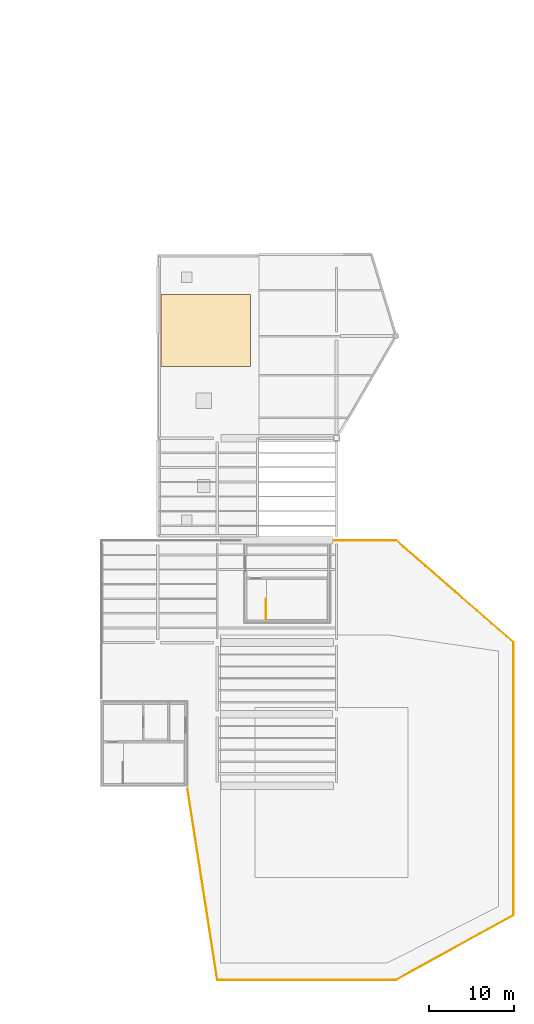
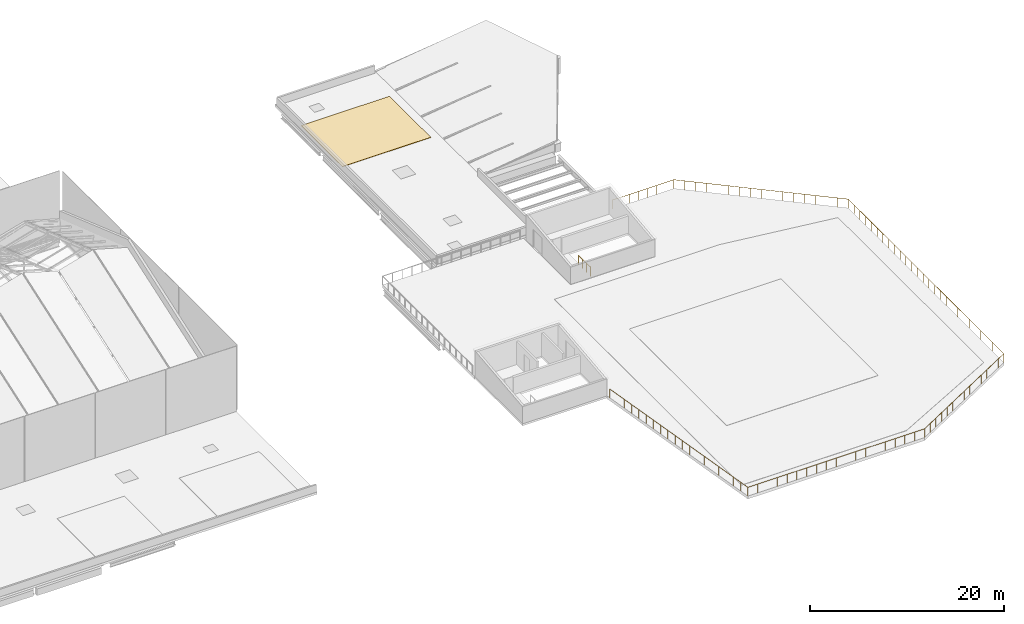
# One storey, part 77 of 77: 2 railings, 1 covering.
"""IFC4 building model written with IfcOpenShell, lengths in metres."""

from ifc_helpers import new_model, si_unit, direction, frame, origin, origin_2d, place, context, subcontext, project, spatial, polyline, circle, outline, extrude, material, layer, layer_set, type_object, element, save


model = new_model("IFC4")

# Units and contexts
model_context = context("Model", 3, precision=1e-05, world=origin(), true_north=direction((0.0, 1.0)))
body_context = subcontext(model_context, "Body", "Model", "MODEL_VIEW")
ifc_project = project(units=[si_unit("LENGTHUNIT", "METRE"), si_unit("AREAUNIT", "SQUARE_METRE"), si_unit("VOLUMEUNIT", "CUBIC_METRE"), si_unit("PLANEANGLEUNIT", "RADIAN"), si_unit("MASSUNIT", "GRAM", prefix="KILO")], contexts=[model_context])

# Site, building, storey
site_placement = place(None, origin())
site = spatial("IfcSite", under=ifc_project, at=site_placement, CompositionType="ELEMENT")
building_placement = place(site_placement, origin())
building = spatial("IfcBuilding", under=site, at=building_placement, Name="Larkvane Passage Sports Hall", CompositionType="ELEMENT")
storey_placement = place(building_placement, frame((0.0, 0.0, 22.199951171875)))
storey = spatial("IfcBuildingStorey", under=building, at=storey_placement, Name="RF", CompositionType="ELEMENT", Elevation=22.199951171875)

# Covering
ifc_material_1 = material(Name="Insulated TPO single-ply roofing membrane")
ifc_layer = layer(ifc_material_1, 0.050048828125)
ifc_layer_set = layer_set([ifc_layer], Name="Insulated TPO single-ply roofing membrane")
covering_type = type_object("IfcCoveringType", Name="COV-ROOF-MEMB", PredefinedType="ROOFING", material=ifc_layer_set)
covering_placement = place(storey_placement, origin())
element("IfcCovering", 1, at=covering_placement, inside=storey, type_object=covering_type, Name="Roof waterproofing membrane COV-ROOF-M5", PredefinedType="ROOFING", context=body_context, shape_type="SweptSolid", body=[
    extrude(outline(polyline([(125.0, 72.0), (135.5, 72.0), (135.5, 80.5), (125.0, 80.5), (125.0, 72.0)])), origin(), (0.0, 0.0, 1.0), 0.050048828125),
])

# Railings
ifc_material_2 = material(Name="Steel S355JR", Category="steel")
railing_type = type_object("IfcRailingType", Name="RL-GUARD-1120", PredefinedType="GUARDRAIL", material=ifc_material_2)
railing_1_placement = place(storey_placement, frame((137.330078125, 42.300048828125, 0.0)))
element("IfcRailing", 2, at=railing_1_placement, inside=storey, type_object=railing_type, Name="RF ST-07 top well guard 1", PredefinedType="GUARDRAIL", context=body_context, shape_type="SweptSolid", body=[
    extrude(circle(Radius=0.02392578125, at=origin_2d()), frame((0.0, 0.001953125, 1.09619140625), z_axis=(0.0, 1.0, 0.0), x_axis=(-1.0, 0.0, 0.0)), (0.0, 0.0, 1.0), 2.446044921875),
    extrude(circle(Radius=0.02099609375, at=origin_2d()), origin(), (0.0, 0.0, 1.0), 1.072021484375),
    extrude(circle(Radius=0.02099609375, at=origin_2d()), frame((0.0, 0.816650390625, 0.0)), (0.0, 0.0, 1.0), 1.072021484375),
    extrude(circle(Radius=0.02099609375, at=origin_2d()), frame((0.0, 1.63330078125, 0.0)), (0.0, 0.0, 1.0), 1.072021484375),
    extrude(circle(Radius=0.02099609375, at=origin_2d()), frame((0.0, 2.449951171875, 0.0)), (0.0, 0.0, 1.0), 1.072021484375),
])
railing_2_placement = place(storey_placement, frame((128.114990234375, 22.385009765625, 0.0)))
element("IfcRailing", 3, at=railing_2_placement, inside=storey, type_object=railing_type, Name="Terrace perimeter guardrail RF-016", PredefinedType="GUARDRAIL", context=body_context, shape_type="SweptSolid", body=[
    extrude(circle(Radius=0.02392578125, at=origin_2d()), frame((0.000244140625, -0.001953125, 1.09619140625), z_axis=(0.153836074853, -0.988096382988, 0.0), x_axis=(0.988096382988, 0.153836074853, 0.0)), (0.0, 0.0, 1.0), 22.650634765625),
    extrude(circle(Radius=0.02392578125, at=origin_2d()), frame((3.487060546875, -22.385009765625, 1.09619140625), z_axis=(1.0, 0.0, 0.0), x_axis=(0.0, 1.0, 0.0)), (0.0, 0.0, 1.0), 20.99609375),
    extrude(circle(Radius=0.02392578125, at=origin_2d()), frame((24.48681640625, -22.384033203125, 1.09619140625), z_axis=(0.875942238261, 0.482415998108, 0.0), x_axis=(-0.482415998108, 0.875942238261, 0.0)), (0.0, 0.0, 1.0), 15.750244140625),
    extrude(circle(Radius=0.02392578125, at=origin_2d()), frame((38.284912109375, -14.782958984375, 1.09619140625), z_axis=(0.0, 1.0, 0.0), x_axis=(-1.0, 0.0, 0.0)), (0.0, 0.0, 1.0), 31.99609375),
    extrude(circle(Radius=0.02392578125, at=origin_2d()), frame((38.283447265625, 17.21630859375, 1.09619140625), z_axis=(-0.754600923618, 0.656184003214, 0.0), x_axis=(-0.656184003214, -0.754600923618, 0.0)), (0.0, 0.0, 1.0), 18.283447265625),
    extrude(circle(Radius=0.02392578125, at=origin_2d()), frame((24.483154296875, 29.215087890625, 1.09619140625), z_axis=(-1.0, 0.0, 0.0), x_axis=(0.0, -1.0, 0.0)), (0.0, 0.0, 1.0), 7.326171875),
    extrude(circle(Radius=0.02099609375, at=origin_2d()), origin(), (0.0, 0.0, 1.0), 1.072021484375),
    extrude(circle(Radius=0.02099609375, at=origin_2d()), frame((0.183349609375, -1.17822265625, 0.0)), (0.0, 0.0, 1.0), 1.072021484375),
    extrude(circle(Radius=0.02099609375, at=origin_2d()), frame((0.366943359375, -2.356201171875, 0.0)), (0.0, 0.0, 1.0), 1.072021484375),
    extrude(circle(Radius=0.02099609375, at=origin_2d()), frame((0.55029296875, -3.534423828125, 0.0)), (0.0, 0.0, 1.0), 1.072021484375),
    extrude(circle(Radius=0.02099609375, at=origin_2d()), frame((0.733642578125, -4.712646484375, 0.0)), (0.0, 0.0, 1.0), 1.072021484375),
    extrude(circle(Radius=0.02099609375, at=origin_2d()), frame((0.917236328125, -5.890869140625, 0.0)), (0.0, 0.0, 1.0), 1.072021484375),
    extrude(circle(Radius=0.02099609375, at=origin_2d()), frame((1.1005859375, -7.06884765625, 0.0)), (0.0, 0.0, 1.0), 1.072021484375),
    extrude(circle(Radius=0.02099609375, at=origin_2d()), frame((1.283935546875, -8.2470703125, 0.0)), (0.0, 0.0, 1.0), 1.072021484375),
    extrude(circle(Radius=0.02099609375, at=origin_2d()), frame((1.467529296875, -9.42529296875, 0.0)), (0.0, 0.0, 1.0), 1.072021484375),
    extrude(circle(Radius=0.02099609375, at=origin_2d()), frame((1.65087890625, -10.603515625, 0.0)), (0.0, 0.0, 1.0), 1.072021484375),
    extrude(circle(Radius=0.02099609375, at=origin_2d()), frame((1.834228515625, -11.781494140625, 0.0)), (0.0, 0.0, 1.0), 1.072021484375),
    extrude(circle(Radius=0.02099609375, at=origin_2d()), frame((2.017578125, -12.959716796875, 0.0)), (0.0, 0.0, 1.0), 1.072021484375),
    extrude(circle(Radius=0.02099609375, at=origin_2d()), frame((2.201171875, -14.137939453125, 0.0)), (0.0, 0.0, 1.0), 1.072021484375),
    extrude(circle(Radius=0.02099609375, at=origin_2d()), frame((2.384521484375, -15.316162109375, 0.0)), (0.0, 0.0, 1.0), 1.072021484375),
    extrude(circle(Radius=0.02099609375, at=origin_2d()), frame((2.56787109375, -16.494140625, 0.0)), (0.0, 0.0, 1.0), 1.072021484375),
    extrude(circle(Radius=0.02099609375, at=origin_2d()), frame((2.75146484375, -17.67236328125, 0.0)), (0.0, 0.0, 1.0), 1.072021484375),
    extrude(circle(Radius=0.02099609375, at=origin_2d()), frame((2.934814453125, -18.8505859375, 0.0)), (0.0, 0.0, 1.0), 1.072021484375),
    extrude(circle(Radius=0.02099609375, at=origin_2d()), frame((3.1181640625, -20.02880859375, 0.0)), (0.0, 0.0, 1.0), 1.072021484375),
    extrude(circle(Radius=0.02099609375, at=origin_2d()), frame((3.3017578125, -21.206787109375, 0.0)), (0.0, 0.0, 1.0), 1.072021484375),
    extrude(circle(Radius=0.02099609375, at=origin_2d()), frame((3.485107421875, -22.385009765625, 0.0)), (0.0, 0.0, 1.0), 1.072021484375),
    extrude(circle(Radius=0.02099609375, at=origin_2d()), frame((4.65185546875, -22.385009765625, 0.0)), (0.0, 0.0, 1.0), 1.072021484375),
    extrude(circle(Radius=0.02099609375, at=origin_2d()), frame((5.818359375, -22.385009765625, 0.0)), (0.0, 0.0, 1.0), 1.072021484375),
    extrude(circle(Radius=0.02099609375, at=origin_2d()), frame((6.985107421875, -22.385009765625, 0.0)), (0.0, 0.0, 1.0), 1.072021484375),
    extrude(circle(Radius=0.02099609375, at=origin_2d()), frame((8.15185546875, -22.385009765625, 0.0)), (0.0, 0.0, 1.0), 1.072021484375),
    extrude(circle(Radius=0.02099609375, at=origin_2d()), frame((9.318359375, -22.385009765625, 0.0)), (0.0, 0.0, 1.0), 1.072021484375),
    extrude(circle(Radius=0.02099609375, at=origin_2d()), frame((10.485107421875, -22.385009765625, 0.0)), (0.0, 0.0, 1.0), 1.072021484375),
    extrude(circle(Radius=0.02099609375, at=origin_2d()), frame((11.65185546875, -22.385009765625, 0.0)), (0.0, 0.0, 1.0), 1.072021484375),
    extrude(circle(Radius=0.02099609375, at=origin_2d()), frame((12.818359375, -22.385009765625, 0.0)), (0.0, 0.0, 1.0), 1.072021484375),
    extrude(circle(Radius=0.02099609375, at=origin_2d()), frame((13.985107421875, -22.385009765625, 0.0)), (0.0, 0.0, 1.0), 1.072021484375),
    extrude(circle(Radius=0.02099609375, at=origin_2d()), frame((15.15185546875, -22.385009765625, 0.0)), (0.0, 0.0, 1.0), 1.072021484375),
    extrude(circle(Radius=0.02099609375, at=origin_2d()), frame((16.318359375, -22.385009765625, 0.0)), (0.0, 0.0, 1.0), 1.072021484375),
    extrude(circle(Radius=0.02099609375, at=origin_2d()), frame((17.485107421875, -22.385009765625, 0.0)), (0.0, 0.0, 1.0), 1.072021484375),
    extrude(circle(Radius=0.02099609375, at=origin_2d()), frame((18.65185546875, -22.385009765625, 0.0)), (0.0, 0.0, 1.0), 1.072021484375),
    extrude(circle(Radius=0.02099609375, at=origin_2d()), frame((19.818359375, -22.385009765625, 0.0)), (0.0, 0.0, 1.0), 1.072021484375),
    extrude(circle(Radius=0.02099609375, at=origin_2d()), frame((20.985107421875, -22.385009765625, 0.0)), (0.0, 0.0, 1.0), 1.072021484375),
    extrude(circle(Radius=0.02099609375, at=origin_2d()), frame((22.15185546875, -22.385009765625, 0.0)), (0.0, 0.0, 1.0), 1.072021484375),
    extrude(circle(Radius=0.02099609375, at=origin_2d()), frame((23.318359375, -22.385009765625, 0.0)), (0.0, 0.0, 1.0), 1.072021484375),
    extrude(circle(Radius=0.02099609375, at=origin_2d()), frame((24.485107421875, -22.385009765625, 0.0)), (0.0, 0.0, 1.0), 1.072021484375),
    extrude(circle(Radius=0.02099609375, at=origin_2d()), frame((25.470703125, -21.842041015625, 0.0)), (0.0, 0.0, 1.0), 1.072021484375),
    extrude(circle(Radius=0.02099609375, at=origin_2d()), frame((26.45654296875, -21.29931640625, 0.0)), (0.0, 0.0, 1.0), 1.072021484375),
    extrude(circle(Radius=0.02099609375, at=origin_2d()), frame((27.442138671875, -20.75634765625, 0.0)), (0.0, 0.0, 1.0), 1.072021484375),
    extrude(circle(Radius=0.02099609375, at=origin_2d()), frame((28.427978515625, -20.213623046875, 0.0)), (0.0, 0.0, 1.0), 1.072021484375),
    extrude(circle(Radius=0.02099609375, at=origin_2d()), frame((29.41357421875, -19.670654296875, 0.0)), (0.0, 0.0, 1.0), 1.072021484375),
    extrude(circle(Radius=0.02099609375, at=origin_2d()), frame((30.3994140625, -19.1279296875, 0.0)), (0.0, 0.0, 1.0), 1.072021484375),
    extrude(circle(Radius=0.02099609375, at=origin_2d()), frame((31.385009765625, -18.5849609375, 0.0)), (0.0, 0.0, 1.0), 1.072021484375),
    extrude(circle(Radius=0.02099609375, at=origin_2d()), frame((32.37060546875, -18.0419921875, 0.0)), (0.0, 0.0, 1.0), 1.072021484375),
    extrude(circle(Radius=0.02099609375, at=origin_2d()), frame((33.3564453125, -17.499267578125, 0.0)), (0.0, 0.0, 1.0), 1.072021484375),
    extrude(circle(Radius=0.02099609375, at=origin_2d()), frame((34.342041015625, -16.956298828125, 0.0)), (0.0, 0.0, 1.0), 1.072021484375),
    extrude(circle(Radius=0.02099609375, at=origin_2d()), frame((35.327880859375, -16.41357421875, 0.0)), (0.0, 0.0, 1.0), 1.072021484375),
    extrude(circle(Radius=0.02099609375, at=origin_2d()), frame((36.3134765625, -15.87060546875, 0.0)), (0.0, 0.0, 1.0), 1.072021484375),
    extrude(circle(Radius=0.02099609375, at=origin_2d()), frame((37.29931640625, -15.327880859375, 0.0)), (0.0, 0.0, 1.0), 1.072021484375),
    extrude(circle(Radius=0.02099609375, at=origin_2d()), frame((38.284912109375, -14.784912109375, 0.0)), (0.0, 0.0, 1.0), 1.072021484375),
    extrude(circle(Radius=0.02099609375, at=origin_2d()), frame((38.284912109375, -13.599609375, 0.0)), (0.0, 0.0, 1.0), 1.072021484375),
    extrude(circle(Radius=0.02099609375, at=origin_2d()), frame((38.284912109375, -12.41455078125, 0.0)), (0.0, 0.0, 1.0), 1.072021484375),
    extrude(circle(Radius=0.02099609375, at=origin_2d()), frame((38.284912109375, -11.229248046875, 0.0)), (0.0, 0.0, 1.0), 1.072021484375),
    extrude(circle(Radius=0.02099609375, at=origin_2d()), frame((38.284912109375, -10.044189453125, 0.0)), (0.0, 0.0, 1.0), 1.072021484375),
    extrude(circle(Radius=0.02099609375, at=origin_2d()), frame((38.284912109375, -8.85888671875, 0.0)), (0.0, 0.0, 1.0), 1.072021484375),
    extrude(circle(Radius=0.02099609375, at=origin_2d()), frame((38.284912109375, -7.673828125, 0.0)), (0.0, 0.0, 1.0), 1.072021484375),
    extrude(circle(Radius=0.02099609375, at=origin_2d()), frame((38.284912109375, -6.488525390625, 0.0)), (0.0, 0.0, 1.0), 1.072021484375),
    extrude(circle(Radius=0.02099609375, at=origin_2d()), frame((38.284912109375, -5.303466796875, 0.0)), (0.0, 0.0, 1.0), 1.072021484375),
    extrude(circle(Radius=0.02099609375, at=origin_2d()), frame((38.284912109375, -4.1181640625, 0.0)), (0.0, 0.0, 1.0), 1.072021484375),
    extrude(circle(Radius=0.02099609375, at=origin_2d()), frame((38.284912109375, -2.93310546875, 0.0)), (0.0, 0.0, 1.0), 1.072021484375),
    extrude(circle(Radius=0.02099609375, at=origin_2d()), frame((38.284912109375, -1.747802734375, 0.0)), (0.0, 0.0, 1.0), 1.072021484375),
    extrude(circle(Radius=0.02099609375, at=origin_2d()), frame((38.284912109375, -0.562744140625, 0.0)), (0.0, 0.0, 1.0), 1.072021484375),
    extrude(circle(Radius=0.02099609375, at=origin_2d()), frame((38.284912109375, 0.62255859375, 0.0)), (0.0, 0.0, 1.0), 1.072021484375),
    extrude(circle(Radius=0.02099609375, at=origin_2d()), frame((38.284912109375, 1.8076171875, 0.0)), (0.0, 0.0, 1.0), 1.072021484375),
    extrude(circle(Radius=0.02099609375, at=origin_2d()), frame((38.284912109375, 2.992919921875, 0.0)), (0.0, 0.0, 1.0), 1.072021484375),
    extrude(circle(Radius=0.02099609375, at=origin_2d()), frame((38.284912109375, 4.177978515625, 0.0)), (0.0, 0.0, 1.0), 1.072021484375),
    extrude(circle(Radius=0.02099609375, at=origin_2d()), frame((38.284912109375, 5.36328125, 0.0)), (0.0, 0.0, 1.0), 1.072021484375),
    extrude(circle(Radius=0.02099609375, at=origin_2d()), frame((38.284912109375, 6.54833984375, 0.0)), (0.0, 0.0, 1.0), 1.072021484375),
    extrude(circle(Radius=0.02099609375, at=origin_2d()), frame((38.284912109375, 7.733642578125, 0.0)), (0.0, 0.0, 1.0), 1.072021484375),
    extrude(circle(Radius=0.02099609375, at=origin_2d()), frame((38.284912109375, 8.918701171875, 0.0)), (0.0, 0.0, 1.0), 1.072021484375),
    extrude(circle(Radius=0.02099609375, at=origin_2d()), frame((38.284912109375, 10.10400390625, 0.0)), (0.0, 0.0, 1.0), 1.072021484375),
    extrude(circle(Radius=0.02099609375, at=origin_2d()), frame((38.284912109375, 11.2890625, 0.0)), (0.0, 0.0, 1.0), 1.072021484375),
    extrude(circle(Radius=0.02099609375, at=origin_2d()), frame((38.284912109375, 12.474365234375, 0.0)), (0.0, 0.0, 1.0), 1.072021484375),
    extrude(circle(Radius=0.02099609375, at=origin_2d()), frame((38.284912109375, 13.659423828125, 0.0)), (0.0, 0.0, 1.0), 1.072021484375),
    extrude(circle(Radius=0.02099609375, at=origin_2d()), frame((38.284912109375, 14.8447265625, 0.0)), (0.0, 0.0, 1.0), 1.072021484375),
    extrude(circle(Radius=0.02099609375, at=origin_2d()), frame((38.284912109375, 16.02978515625, 0.0)), (0.0, 0.0, 1.0), 1.072021484375),
    extrude(circle(Radius=0.02099609375, at=origin_2d()), frame((38.284912109375, 17.215087890625, 0.0)), (0.0, 0.0, 1.0), 1.072021484375),
    extrude(circle(Radius=0.02099609375, at=origin_2d()), frame((37.42236328125, 17.965087890625, 0.0)), (0.0, 0.0, 1.0), 1.072021484375),
    extrude(circle(Radius=0.02099609375, at=origin_2d()), frame((36.56005859375, 18.715087890625, 0.0)), (0.0, 0.0, 1.0), 1.072021484375),
    extrude(circle(Radius=0.02099609375, at=origin_2d()), frame((35.697509765625, 19.465087890625, 0.0)), (0.0, 0.0, 1.0), 1.072021484375),
    extrude(circle(Radius=0.02099609375, at=origin_2d()), frame((34.8349609375, 20.215087890625, 0.0)), (0.0, 0.0, 1.0), 1.072021484375),
    extrude(circle(Radius=0.02099609375, at=origin_2d()), frame((33.972412109375, 20.965087890625, 0.0)), (0.0, 0.0, 1.0), 1.072021484375),
    extrude(circle(Radius=0.02099609375, at=origin_2d()), frame((33.10986328125, 21.715087890625, 0.0)), (0.0, 0.0, 1.0), 1.072021484375),
    extrude(circle(Radius=0.02099609375, at=origin_2d()), frame((32.24755859375, 22.465087890625, 0.0)), (0.0, 0.0, 1.0), 1.072021484375),
    extrude(circle(Radius=0.02099609375, at=origin_2d()), frame((31.385009765625, 23.215087890625, 0.0)), (0.0, 0.0, 1.0), 1.072021484375),
    extrude(circle(Radius=0.02099609375, at=origin_2d()), frame((30.5224609375, 23.965087890625, 0.0)), (0.0, 0.0, 1.0), 1.072021484375),
    extrude(circle(Radius=0.02099609375, at=origin_2d()), frame((29.66015625, 24.715087890625, 0.0)), (0.0, 0.0, 1.0), 1.072021484375),
    extrude(circle(Radius=0.02099609375, at=origin_2d()), frame((28.797607421875, 25.465087890625, 0.0)), (0.0, 0.0, 1.0), 1.072021484375),
    extrude(circle(Radius=0.02099609375, at=origin_2d()), frame((27.93505859375, 26.215087890625, 0.0)), (0.0, 0.0, 1.0), 1.072021484375),
    extrude(circle(Radius=0.02099609375, at=origin_2d()), frame((27.072509765625, 26.965087890625, 0.0)), (0.0, 0.0, 1.0), 1.072021484375),
    extrude(circle(Radius=0.02099609375, at=origin_2d()), frame((26.2099609375, 27.715087890625, 0.0)), (0.0, 0.0, 1.0), 1.072021484375),
    extrude(circle(Radius=0.02099609375, at=origin_2d()), frame((25.34765625, 28.465087890625, 0.0)), (0.0, 0.0, 1.0), 1.072021484375),
    extrude(circle(Radius=0.02099609375, at=origin_2d()), frame((24.485107421875, 29.215087890625, 0.0)), (0.0, 0.0, 1.0), 1.072021484375),
    extrude(circle(Radius=0.02099609375, at=origin_2d()), frame((23.43798828125, 29.215087890625, 0.0)), (0.0, 0.0, 1.0), 1.072021484375),
    extrude(circle(Radius=0.02099609375, at=origin_2d()), frame((22.390869140625, 29.215087890625, 0.0)), (0.0, 0.0, 1.0), 1.072021484375),
    extrude(circle(Radius=0.02099609375, at=origin_2d()), frame((21.34375, 29.215087890625, 0.0)), (0.0, 0.0, 1.0), 1.072021484375),
    extrude(circle(Radius=0.02099609375, at=origin_2d()), frame((20.29638671875, 29.215087890625, 0.0)), (0.0, 0.0, 1.0), 1.072021484375),
    extrude(circle(Radius=0.02099609375, at=origin_2d()), frame((19.249267578125, 29.215087890625, 0.0)), (0.0, 0.0, 1.0), 1.072021484375),
    extrude(circle(Radius=0.02099609375, at=origin_2d()), frame((18.2021484375, 29.215087890625, 0.0)), (0.0, 0.0, 1.0), 1.072021484375),
    extrude(circle(Radius=0.02099609375, at=origin_2d()), frame((17.155029296875, 29.215087890625, 0.0)), (0.0, 0.0, 1.0), 1.072021484375),
])

save(model, "model.ifc")
